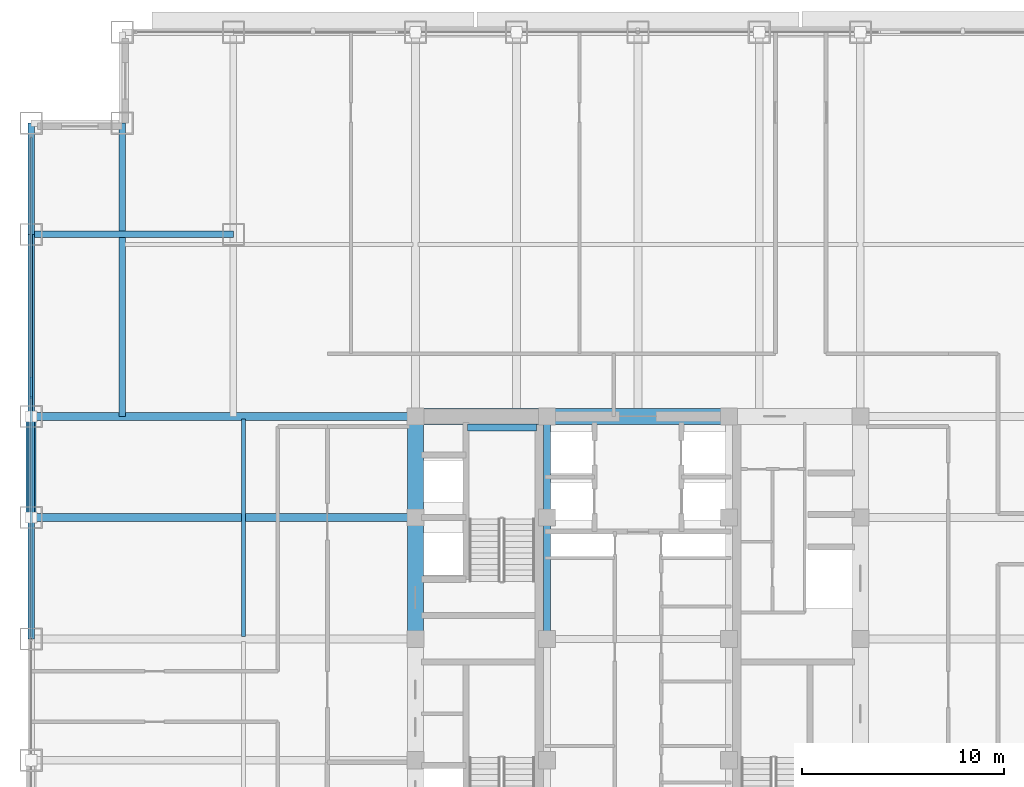
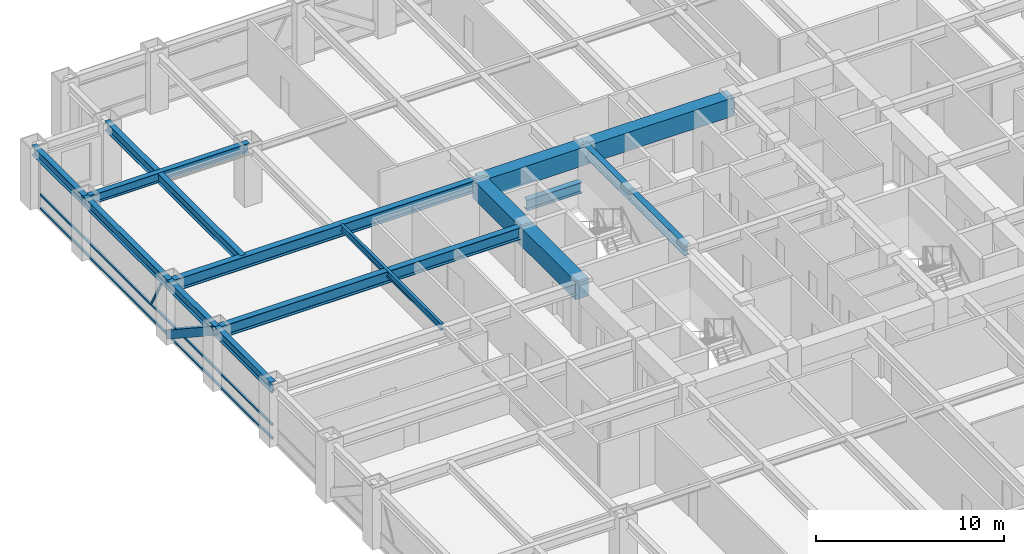
# One storey, part 11 of 28: 16 beams, 5 members, 1 element without a shape of its own.
"""IFC4 building model written with IfcOpenShell, lengths in metres."""

import ifcopenshell
import ifcopenshell.guid

model = None  # the IFC model being written
_history = None  # IfcOwnerHistory: only IFC2X3 demands one
_inside = {}  # id of a spatial element -> (the spatial element, [elements in it])
_under = {}  # id of a project, library or spatial element -> (it, [spatial elements below it])
_declared = {}  # id of a project -> (the project, [libraries it declares])
_typed = {}  # id of a type object -> (the type object, [elements of that type])
_made_of = {}  # id of a material, layer set ... -> (it, [elements and type objects made of it])


def new_model(schema):
    """Start an empty IFC model of exactly this schema.

    Asked for "IFC4X3", IfcOpenShell would pick the latest addendum, in which some entities
    have other attributes; the version numbers below select the first issue.
    IFC2X3 requires an IfcOwnerHistory on every rooted entity: one is made here for all.
    """
    global model, _history
    if schema == "IFC4X3":
        model = ifcopenshell.file(schema_version=(4, 3, 0, 0))
    else:
        model = ifcopenshell.file(schema=schema)
    _inside.clear()
    _under.clear()
    _declared.clear()
    _typed.clear()
    _made_of.clear()
    _history = None
    if model.schema == "IFC2X3":
        org = make("IfcOrganization", Name="unknown")
        user = make(
            "IfcPersonAndOrganization",
            ThePerson=make("IfcPerson", FamilyName="unknown"),
            TheOrganization=org,
        )
        app = make(
            "IfcApplication",
            ApplicationDeveloper=org,
            Version="unknown",
            ApplicationFullName="unknown",
            ApplicationIdentifier="unknown",
        )
        _history = make(
            "IfcOwnerHistory",
            OwningUser=user,
            OwningApplication=app,
            ChangeAction="ADDED",
            CreationDate=0,
        )
    return model


def make(cls, **values):
    """One entity of the class cls with the attributes given. An attribute that is None is left unset."""
    return model.create_entity(
        cls, **{name: value for name, value in values.items() if value is not None}
    )


def rooted(cls, **values):
    """An entity with a GlobalId (a new one), such as an element, a storey or a relation."""
    return make(cls, GlobalId=ifcopenshell.guid.new(), OwnerHistory=_history, **values)


def si_unit(unit_type, name, prefix=None):
    """IfcSIUnit, for example si_unit("LENGTHUNIT", "METRE", prefix="MILLI")."""
    return make("IfcSIUnit", UnitType=unit_type, Prefix=prefix, Name=name)


def assignment(units):
    """IfcUnitAssignment: the units of a project."""
    return None if units is None else make("IfcUnitAssignment", Units=units)


def point(xyz):
    """IfcCartesianPoint."""
    return None if xyz is None else make("IfcCartesianPoint", Coordinates=xyz)


def direction(xyz):
    """IfcDirection."""
    return None if xyz is None else make("IfcDirection", DirectionRatios=xyz)


def frame(location, z_axis=None, x_axis=None):
    """IfcAxis2Placement3D, a coordinate frame: its origin and axes. An axis left out is left unset."""
    return make(
        "IfcAxis2Placement3D",
        Location=point(location),
        Axis=direction(z_axis),
        RefDirection=direction(x_axis),
    )


def frame_2d(location, x_axis=None):
    """IfcAxis2Placement2D, a coordinate frame in the plane: its origin and x axis."""
    return make(
        "IfcAxis2Placement2D", Location=point(location), RefDirection=direction(x_axis)
    )


def origin():
    """The frame at (0, 0, 0) with its axes left unset."""
    return frame((0.0, 0.0, 0.0))


def origin_2d():
    """The frame at (0, 0) in the plane with its x axis left unset."""
    return frame_2d((0.0, 0.0))


def place(relative_to, where):
    """IfcLocalPlacement: puts the frame where relative to a parent placement (None: the world)."""
    return make(
        "IfcLocalPlacement", PlacementRelTo=relative_to, RelativePlacement=where
    )


def context(
    kind, dimensions, precision=None, world=None, true_north=None, identifier=None
):
    """IfcGeometricRepresentationContext, for example the 3D "Model" context."""
    return make(
        "IfcGeometricRepresentationContext",
        ContextIdentifier=identifier,
        ContextType=kind,
        CoordinateSpaceDimension=dimensions,
        Precision=precision,
        WorldCoordinateSystem=world,
        TrueNorth=true_north,
    )


def subcontext(parent, identifier, kind, view, scale=None):
    """IfcGeometricRepresentationSubContext, for example "Body" below "Model"."""
    return make(
        "IfcGeometricRepresentationSubContext",
        ContextIdentifier=identifier,
        ContextType=kind,
        ParentContext=parent,
        TargetScale=scale,
        TargetView=view,
    )


def project(units=None, contexts=None):
    """IfcProject with its units and contexts."""
    return rooted(
        "IfcProject",
        Name="project",
        RepresentationContexts=contexts,
        UnitsInContext=assignment(units),
    )


def spatial(cls, under=None, at=None, **own):
    """A site, building, storey or space (cls), placed at a placement, below another one or the project."""
    s = rooted(cls, ObjectPlacement=at, **own)
    if under is not None:
        _under.setdefault(under.id(), (under, []))[1].append(s)
    return s


def profile(cls, at=None, kind="AREA", **sizes):
    """A parametric profile (cls). Its sizes go by their IFC names, for example OverallWidth=200.0."""
    return make(cls, ProfileType=kind, Position=at, **sizes)


def rectangle(**sizes):
    """IfcRectangleProfileDef."""
    return profile("IfcRectangleProfileDef", **sizes)


def hollow_rectangle(**sizes):
    """IfcRectangleHollowProfileDef."""
    return profile("IfcRectangleHollowProfileDef", **sizes)


def i_section(**sizes):
    """IfcIShapeProfileDef."""
    return profile("IfcIShapeProfileDef", **sizes)


def extrude(swept, where, along, depth):
    """IfcExtrudedAreaSolid: the profile swept, set in the frame where, extruded along a direction by depth."""
    return make(
        "IfcExtrudedAreaSolid",
        SweptArea=swept,
        Position=where,
        ExtrudedDirection=direction(along),
        Depth=depth,
    )


def shape(context_of_items, identifier, shape_type, items):
    """IfcShapeRepresentation: the items that make up one representation, for example the "Body"."""
    return make(
        "IfcShapeRepresentation",
        ContextOfItems=context_of_items,
        RepresentationIdentifier=identifier,
        RepresentationType=shape_type,
        Items=items,
    )


def source(mapping_origin, context_of_items, identifier, shape_type, items):
    """IfcRepresentationMap: a shape defined once, which mapped items show again and again."""
    return make(
        "IfcRepresentationMap",
        MappingOrigin=mapping_origin,
        MappedRepresentation=shape(context_of_items, identifier, shape_type, items),
    )


def transform(
    local_origin,
    x_axis=None,
    y_axis=None,
    z_axis=None,
    scale=None,
    scale2=None,
    scale3=None,
    uniform=True,
):
    """IfcCartesianTransformationOperator3D, or its non-uniform kind. x_axis, y_axis, z_axis: its Axis1, 2, 3."""
    if uniform:
        return make(
            "IfcCartesianTransformationOperator3D",
            Axis1=direction(x_axis),
            Axis2=direction(y_axis),
            LocalOrigin=point(local_origin),
            Scale=scale,
            Axis3=direction(z_axis),
        )
    return make(
        "IfcCartesianTransformationOperator3DnonUniform",
        Axis1=direction(x_axis),
        Axis2=direction(y_axis),
        LocalOrigin=point(local_origin),
        Scale=scale,
        Axis3=direction(z_axis),
        Scale2=scale2,
        Scale3=scale3,
    )


def mapped(mapping_source, mapping_target):
    """IfcMappedItem: shows the shape of a source again, moved by a transform."""
    return make(
        "IfcMappedItem", MappingSource=mapping_source, MappingTarget=mapping_target
    )


def material(Name=None, Category=None):
    """IfcMaterial."""
    return make("IfcMaterial", Name=Name, Category=Category)


def material_profile(
    of_material, cross_section, Name=None, Category=None, Priority=None
):
    """IfcMaterialProfile: a cross section and its material."""
    return make(
        "IfcMaterialProfile",
        Name=Name,
        Material=of_material,
        Profile=cross_section,
        Priority=Priority,
        Category=Category,
    )


def profile_set(profiles, Name=None, composite=None):
    """IfcMaterialProfileSet."""
    return make(
        "IfcMaterialProfileSet",
        Name=Name,
        MaterialProfiles=profiles,
        CompositeProfile=composite,
    )


def made_of(thing, what):
    """Note that an element or type object is made of a material, layer set ...; save() writes the relation."""
    if what is not None:
        _made_of.setdefault(what.id(), (what, []))[1].append(thing)
    return thing


def type_object(cls, material=None, **own):
    """A type object (cls), such as IfcWallType, which elements share."""
    return made_of(rooted(cls, **own), material)


def element(
    cls,
    number,
    at=None,
    inside=None,
    cuts=None,
    type_object=None,
    material=None,
    context=None,
    identifier="Body",
    shape_type=None,
    held_by="IfcProductDefinitionShape",
    body=None,
    shapes=None,
    **own,
):
    """One element of the class cls, such as IfcWall. Its Tag is "e" and its number.

    at: its placement. inside: the storey or other place that contains it. cuts: it is an
    opening in that element (IfcRelVoidsElement). A single representation is given by context,
    identifier, shape_type and body (its items); several are given by shapes. held_by: the class
    of the entity that holds the representations. save() writes the other relations.
    """
    e = rooted(cls, Tag="e%d" % number, ObjectPlacement=at, **own)
    if body is not None:
        shapes = [shape(context, identifier, shape_type, body)]
    if shapes is not None:
        e.Representation = make(held_by, Representations=shapes)
    if inside is not None:
        _inside.setdefault(inside.id(), (inside, []))[1].append(e)
    if cuts is not None:
        rooted(
            "IfcRelVoidsElement", RelatingBuildingElement=cuts, RelatedOpeningElement=e
        )
    if type_object is not None:
        _typed.setdefault(type_object.id(), (type_object, []))[1].append(e)
    return made_of(e, material)


def aggregate(whole, parts):
    """IfcRelAggregates: a whole, such as a stair, and the parts it consists of."""
    return rooted("IfcRelAggregates", RelatingObject=whole, RelatedObjects=parts)


def save(model, path):
    """Write the relations noted so far, then the file.

    IfcRelAggregates (storeys below a building ...), IfcRelContainedInSpatialStructure (elements
    in a storey), IfcRelDefinesByType, IfcRelAssociatesMaterial and IfcRelDeclares: one each for
    every whole, place, type object, material and project.
    """
    for whole, parts in _under.values():
        aggregate(whole, parts)
    for where, things in _inside.values():
        rooted(
            "IfcRelContainedInSpatialStructure",
            RelatedElements=things,
            RelatingStructure=where,
        )
    for kind, things in _typed.values():
        rooted("IfcRelDefinesByType", RelatedObjects=things, RelatingType=kind)
    for what, things in _made_of.values():
        rooted("IfcRelAssociatesMaterial", RelatedObjects=things, RelatingMaterial=what)
    for by, libraries in _declared.values():
        rooted("IfcRelDeclares", RelatingContext=by, RelatedDefinitions=libraries)
    model.write(path)


model = new_model("IFC4")

# Units and contexts
model_context = context("Model", 3, precision=1e-05, world=origin(), true_north=direction((0.0, 1.0)))
body_context = subcontext(model_context, "Body", "Model", "MODEL_VIEW")
ifc_project = project(units=[si_unit("LENGTHUNIT", "METRE"), si_unit("AREAUNIT", "SQUARE_METRE"), si_unit("VOLUMEUNIT", "CUBIC_METRE"), si_unit("PLANEANGLEUNIT", "RADIAN"), si_unit("MASSUNIT", "GRAM", prefix="KILO")], contexts=[model_context])

# Site, building, storey
site_placement = place(None, origin())
site = spatial("IfcSite", under=ifc_project, at=site_placement, CompositionType="ELEMENT")
building_placement = place(site_placement, origin())
building = spatial("IfcBuilding", under=site, at=building_placement, Name="Khorayat Bourse Tower", CompositionType="ELEMENT")
storey_placement = place(building_placement, frame((0.0, 0.0, 191.10009765625)))
storey = spatial("IfcBuildingStorey", under=building, at=storey_placement, Name="L44", CompositionType="ELEMENT", Elevation=191.10009765625)

# Beams
ifc_material_1 = material(Name="Concrete C72/90", Category="concrete")
ifc_material_profile_1 = material_profile(ifc_material_1, rectangle(XDim=0.800048828125, YDim=1.199951171875, at=origin_2d()), Name="RC 800x1200")
ifc_profile_set_1 = profile_set([ifc_material_profile_1], Name="Concrete C72/90")
beam_type_1 = type_object("IfcBeamType", Name="BM-COUP-1200", PredefinedType="BEAM", material=ifc_profile_set_1)
shared_shape_1 = source(origin(), body_context, "Body", "SweptSolid", [
    extrude(rectangle(XDim=0.800048828125, YDim=1.199951171875, at=origin_2d()), origin(), (0.0, 0.0, 1.0), 5.0),
])
beam_1_placement = place(storey_placement, frame((-11.0, 6.0, 3.179931640625), z_axis=(0.0, 1.0, 0.0), x_axis=(-1.0, 0.0, 0.0)))
element("IfcBeam", 1, at=beam_1_placement, inside=storey, type_object=beam_type_1, Name="L44 BM-COUP-1200 BM-L44-CRX-04", PredefinedType="BEAM", context=body_context, shape_type="MappedRepresentation", body=[
    mapped(shared_shape_1, transform((0.0, 0.0, 0.0), scale=1.0)),
])
shared_shape_2 = source(origin(), body_context, "Body", "SweptSolid", [
    extrude(rectangle(XDim=0.800048828125, YDim=1.199951171875, at=origin_2d()), origin(), (0.0, 0.0, 1.0), 6.0),
])
beam_2_placement = place(storey_placement, frame((-11.0, 0.0, 3.179931640625), z_axis=(0.0, 1.0, 0.0), x_axis=(-1.0, 0.0, 0.0)))
element("IfcBeam", 2, at=beam_2_placement, inside=storey, type_object=beam_type_1, Name="L44 BM-COUP-1200 BM-L44-CRX-03", PredefinedType="BEAM", context=body_context, shape_type="MappedRepresentation", body=[
    mapped(shared_shape_2, transform((0.0, 0.0, 0.0), scale=1.0)),
])
ifc_material_2 = material(Name="Steel ASTM A992 Grade 50", Category="steel")
ifc_material_profile_2 = material_profile(ifc_material_2, i_section(OverallWidth=0.35498046875, OverallDepth=0.695068359375, WebThickness=0.015380859375, FlangeThickness=0.02490234375, FilletRadius=0.01806640625, at=origin_2d()), Name="W690X217")
ifc_profile_set_2 = profile_set([ifc_material_profile_2], Name="Steel ASTM A992 Grade 50")
beam_type_2 = type_object("IfcBeamType", Name="BM-GIRD-690", PredefinedType="BEAM", material=ifc_profile_set_2)
shared_shape_3 = source(origin(), body_context, "Body", "SweptSolid", [
    extrude(i_section(OverallWidth=0.35498046875, OverallDepth=0.695068359375, WebThickness=0.015380859375, FlangeThickness=0.02490234375, FilletRadius=0.01806640625, at=origin_2d()), origin(), (0.0, 0.0, 1.0), 5.0),
])
beam_3_placement = place(storey_placement, frame((-4.5, 6.0, 3.432373046875), z_axis=(0.0, 1.0, 0.0), x_axis=(-1.0, 0.0, 0.0)))
element("IfcBeam", 3, at=beam_3_placement, inside=storey, type_object=beam_type_2, Name="L44 BM-GIRD-690 BM-L44-CRX-08", PredefinedType="BEAM", context=body_context, shape_type="MappedRepresentation", body=[
    mapped(shared_shape_3, transform((0.0, 0.0, 0.0), scale=1.0)),
])
shared_shape_4 = source(origin(), body_context, "Body", "SweptSolid", [
    extrude(i_section(OverallWidth=0.35498046875, OverallDepth=0.695068359375, WebThickness=0.015380859375, FlangeThickness=0.02490234375, FilletRadius=0.01806640625, at=origin_2d()), origin(), (0.0, 0.0, 1.0), 6.0),
])
beam_4_placement = place(storey_placement, frame((-4.5, 0.0, 3.432373046875), z_axis=(0.0, 1.0, 0.0), x_axis=(-1.0, 0.0, 0.0)))
element("IfcBeam", 4, at=beam_4_placement, inside=storey, type_object=beam_type_2, Name="L44 BM-GIRD-690 BM-L44-CRX-07", PredefinedType="BEAM", context=body_context, shape_type="MappedRepresentation", body=[
    mapped(shared_shape_4, transform((0.0, 0.0, 0.0), scale=1.0)),
])
shared_shape_5 = source(origin(), body_context, "Body", "SweptSolid", [
    extrude(rectangle(XDim=0.800048828125, YDim=1.199951171875, at=origin_2d()), origin(), (0.0, 0.0, 1.0), 6.5),
])
beam_5_placement = place(storey_placement, frame((-11.0, 11.0, 3.179931640625), z_axis=(1.0, 0.0, 0.0), x_axis=(0.0, 1.0, 0.0)))
element("IfcBeam", 5, at=beam_5_placement, inside=storey, type_object=beam_type_1, Name="L44 BM-COUP-1200 BM-L44-CRY-20", PredefinedType="BEAM", context=body_context, shape_type="MappedRepresentation", body=[
    mapped(shared_shape_5, transform((0.0, 0.0, 0.0), scale=1.0)),
])
shared_shape_6 = source(origin(), body_context, "Body", "SweptSolid", [
    extrude(rectangle(XDim=0.800048828125, YDim=1.199951171875, at=origin_2d()), origin(), (0.0, 0.0, 1.0), 9.0),
])
beam_6_placement = place(storey_placement, frame((-4.5, 11.0, 3.179931640625), z_axis=(1.0, 0.0, 0.0), x_axis=(0.0, 1.0, 0.0)))
element("IfcBeam", 6, at=beam_6_placement, inside=storey, type_object=beam_type_1, Name="L44 BM-COUP-1200 BM-L44-CRY-21", PredefinedType="BEAM", context=body_context, shape_type="MappedRepresentation", body=[
    mapped(shared_shape_6, transform((0.0, 0.0, 0.0), scale=1.0)),
])
shared_shape_7 = source(origin(), body_context, "Body", "SweptSolid", [
    extrude(i_section(OverallWidth=0.35498046875, OverallDepth=0.695068359375, WebThickness=0.015380859375, FlangeThickness=0.02490234375, FilletRadius=0.01806640625, at=origin_2d()), origin(), (0.0, 0.0, 1.0), 3.39990234375),
])
beam_7_placement = place(storey_placement, frame((-8.419921875, 10.449951171875, 1.452392578125), z_axis=(1.0, 0.0, 0.0), x_axis=(0.0, 1.0, 0.0)))
element("IfcBeam", 7, at=beam_7_placement, inside=storey, type_object=beam_type_2, Name="L44 BM-GIRD-690 BM-L44-ST2L", PredefinedType="BEAM", context=body_context, shape_type="MappedRepresentation", body=[
    mapped(shared_shape_7, transform((0.0, 0.0, 0.0), scale=1.0)),
])
ifc_material_profile_3 = material_profile(ifc_material_2, i_section(OverallWidth=0.381103515625, OverallDepth=0.77294921875, WebThickness=0.0166015625, FlangeThickness=0.027587890625, FilletRadius=0.01806640625, at=origin_2d()), Name="W760X257")
ifc_profile_set_3 = profile_set([ifc_material_profile_3], Name="Steel ASTM A992 Grade 50")
beam_type_3 = type_object("IfcBeamType", Name="BM-GIRD-760", PredefinedType="BEAM", material=ifc_profile_set_3)
shared_shape_8 = source(origin(), body_context, "Body", "SweptSolid", [
    extrude(i_section(OverallWidth=0.381103515625, OverallDepth=0.77294921875, WebThickness=0.0166015625, FlangeThickness=0.027587890625, FilletRadius=0.01806640625, at=origin_2d()), origin(), (0.0, 0.0, 1.0), 19.0),
])
for number, where, z_axis, x_axis, name in (
    (8, (-30.0, 6.0, 3.393310546875), (1.0, 0.0, 0.0), (0.0, 1.0, 0.0), "L44 BM-GIRD-760 BM-L44-RADX-081"),
    (9, (-30.0, 11.0, 3.393310546875), (1.0, 0.0, 0.0), (0.0, 1.0, 0.0), "L44 BM-GIRD-760 BM-L44-RADX-083"),
):
    element("IfcBeam", number, at=place(storey_placement, frame(where, z_axis=z_axis, x_axis=x_axis)), inside=storey, type_object=beam_type_3, Name=name, PredefinedType="BEAM", context=body_context, shape_type="MappedRepresentation", body=[
        mapped(shared_shape_8, transform((0.0, 0.0, 0.0), scale=1.0)),
    ])
ifc_material_profile_4 = material_profile(ifc_material_2, i_section(OverallWidth=0.324951171875, OverallDepth=0.615966796875, WebThickness=0.013916015625, FlangeThickness=0.021484375, FilletRadius=0.01611328125, at=origin_2d()), Name="W610X174")
ifc_profile_set_4 = profile_set([ifc_material_profile_4], Name="Steel ASTM A992 Grade 50")
beam_type_4 = type_object("IfcBeamType", Name="BM-GIRD-610", PredefinedType="BEAM", material=ifc_profile_set_4)
shared_shape_9 = source(origin(), body_context, "Body", "SweptSolid", [
    extrude(i_section(OverallWidth=0.324951171875, OverallDepth=0.615966796875, WebThickness=0.013916015625, FlangeThickness=0.021484375, FilletRadius=0.01611328125, at=origin_2d()), origin(), (0.0, 0.0, 1.0), 14.5),
])
beam_8_placement = place(storey_placement, frame((-25.5, 11.0, 3.471923828125), z_axis=(0.0, 1.0, 0.0), x_axis=(-1.0, 0.0, 0.0)))
element("IfcBeam", 10, at=beam_8_placement, inside=storey, type_object=beam_type_4, Name="L44 BM-GIRD-610 BM-L44-CNRY-089", PredefinedType="BEAM", context=body_context, shape_type="MappedRepresentation", body=[
    mapped(shared_shape_9, transform((0.0, 0.0, 0.0), scale=1.0)),
])
shared_shape_10 = source(origin(), body_context, "Body", "SweptSolid", [
    extrude(i_section(OverallWidth=0.324951171875, OverallDepth=0.615966796875, WebThickness=0.013916015625, FlangeThickness=0.021484375, FilletRadius=0.01611328125, at=origin_2d()), origin(), (0.0, 0.0, 1.0), 10.0),
])
beam_9_placement = place(storey_placement, frame((-30.0, 20.0, 3.471923828125), z_axis=(1.0, 0.0, 0.0), x_axis=(0.0, 1.0, 0.0)))
element("IfcBeam", 11, at=beam_9_placement, inside=storey, type_object=beam_type_4, Name="L44 BM-GIRD-610 BM-L44-CNRX-095", PredefinedType="BEAM", context=body_context, shape_type="MappedRepresentation", body=[
    mapped(shared_shape_10, transform((0.0, 0.0, 0.0), scale=1.0)),
])
ifc_material_profile_5 = material_profile(ifc_material_2, i_section(OverallWidth=0.180908203125, OverallDepth=0.4169921875, WebThickness=0.010986328125, FlangeThickness=0.018310546875, FilletRadius=0.011962890625, at=origin_2d()), Name="W410X85")
ifc_profile_set_5 = profile_set([ifc_material_profile_5], Name="Steel ASTM A992 Grade 50")
beam_type_5 = type_object("IfcBeamType", Name="BM-JOIST-410", PredefinedType="JOIST", material=ifc_profile_set_5)
shared_shape_11 = source(origin(), body_context, "Body", "SweptSolid", [
    extrude(i_section(OverallWidth=0.180908203125, OverallDepth=0.4169921875, WebThickness=0.010986328125, FlangeThickness=0.018310546875, FilletRadius=0.011962890625, at=origin_2d()), origin(), (0.0, 0.0, 1.0), 10.740234375),
])
beam_10_placement = place(storey_placement, frame((-19.5, 0.1298828125, 3.5712890625), z_axis=(0.0, 1.0, 0.0), x_axis=(-1.0, 0.0, 0.0)))
element("IfcBeam", 12, at=beam_10_placement, inside=storey, type_object=beam_type_5, Name="L44 BM-JOIST-410 BM-L44-JSTY-103", PredefinedType="JOIST", context=body_context, shape_type="MappedRepresentation", body=[
    mapped(shared_shape_11, transform((0.0, 0.0, 0.0), scale=1.0)),
])
ifc_material_profile_6 = material_profile(ifc_material_2, i_section(OverallWidth=0.324951171875, OverallDepth=0.615966796875, WebThickness=0.013916015625, FlangeThickness=0.021484375, FilletRadius=0.01611328125, at=origin_2d()), Name="W610X174")
ifc_profile_set_6 = profile_set([ifc_material_profile_6], Name="Steel ASTM A992 Grade 50")
beam_type_6 = type_object("IfcBeamType", Name="BM-SPAN-610", PredefinedType="SPANDREL", material=ifc_profile_set_6)
shared_shape_12 = source(origin(), body_context, "Body", "SweptSolid", [
    extrude(i_section(OverallWidth=0.324951171875, OverallDepth=0.615966796875, WebThickness=0.013916015625, FlangeThickness=0.021484375, FilletRadius=0.01611328125, at=origin_2d()), origin(), (0.0, 0.0, 1.0), 5.5),
])
beam_11_placement = place(storey_placement, frame((-30.0, 20.0, 3.471923828125), z_axis=(0.0, 1.0, 0.0), x_axis=(-1.0, 0.0, 0.0)))
element("IfcBeam", 13, at=beam_11_placement, inside=storey, type_object=beam_type_6, Name="L44 BM-SPAN-610 BM-L44-SPN-054", PredefinedType="SPANDREL", context=body_context, shape_type="MappedRepresentation", body=[
    mapped(shared_shape_12, transform((0.0, 0.0, 0.0), scale=1.0)),
])
shared_shape_13 = source(origin(), body_context, "Body", "SweptSolid", [
    extrude(i_section(OverallWidth=0.324951171875, OverallDepth=0.615966796875, WebThickness=0.013916015625, FlangeThickness=0.021484375, FilletRadius=0.01611328125, at=origin_2d()), origin(), (0.0, 0.0, 1.0), 9.0),
])
beam_12_placement = place(storey_placement, frame((-30.0, 11.0, 3.471923828125), z_axis=(0.0, 1.0, 0.0), x_axis=(-1.0, 0.0, 0.0)))
element("IfcBeam", 14, at=beam_12_placement, inside=storey, type_object=beam_type_6, Name="L44 BM-SPAN-610 BM-L44-SPN-055", PredefinedType="SPANDREL", context=body_context, shape_type="MappedRepresentation", body=[
    mapped(shared_shape_13, transform((0.0, 0.0, 0.0), scale=1.0)),
])
shared_shape_14 = source(origin(), body_context, "Body", "SweptSolid", [
    extrude(i_section(OverallWidth=0.324951171875, OverallDepth=0.615966796875, WebThickness=0.013916015625, FlangeThickness=0.021484375, FilletRadius=0.01611328125, at=origin_2d()), origin(), (0.0, 0.0, 1.0), 5.0),
])
beam_13_placement = place(storey_placement, frame((-30.0, 6.0, 3.471923828125), z_axis=(0.0, 1.0, 0.0), x_axis=(-1.0, 0.0, 0.0)))
element("IfcBeam", 15, at=beam_13_placement, inside=storey, type_object=beam_type_6, Name="L44 BM-SPAN-610 BM-L44-SPN-056", PredefinedType="SPANDREL", context=body_context, shape_type="MappedRepresentation", body=[
    mapped(shared_shape_14, transform((0.0, 0.0, 0.0), scale=1.0)),
])
shared_shape_15 = source(origin(), body_context, "Body", "SweptSolid", [
    extrude(i_section(OverallWidth=0.324951171875, OverallDepth=0.615966796875, WebThickness=0.013916015625, FlangeThickness=0.021484375, FilletRadius=0.01611328125, at=origin_2d()), origin(), (0.0, 0.0, 1.0), 6.0),
])
beam_14_placement = place(storey_placement, frame((-30.0, 0.0, 3.471923828125), z_axis=(0.0, 1.0, 0.0), x_axis=(-1.0, 0.0, 0.0)))
element("IfcBeam", 16, at=beam_14_placement, inside=storey, type_object=beam_type_6, Name="L44 BM-SPAN-610 BM-L44-SPN-057", PredefinedType="SPANDREL", context=body_context, shape_type="MappedRepresentation", body=[
    mapped(shared_shape_15, transform((0.0, 0.0, 0.0), scale=1.0)),
])

# Member
ifc_material_3 = material(Name="Steel EN 10025-4 S460M", Category="steel")
ifc_material_profile_7 = material_profile(ifc_material_3, hollow_rectangle(XDim=0.5, YDim=0.5, WallThickness=0.028076171875, at=origin_2d()), Name="HSS 500x500x28")
ifc_profile_set_7 = profile_set([ifc_material_profile_7], Name="Steel EN 10025-4 S460M")
member_type_1 = type_object("IfcMemberType", Name="MBR-TUBE-500", PredefinedType="BRACE", material=ifc_profile_set_7)
shared_shape_16 = source(origin(), body_context, "Body", "SweptSolid", [
    extrude(hollow_rectangle(XDim=0.5, YDim=0.5, WallThickness=0.028076171875, at=origin_2d()), origin(), (0.0, 0.0, 1.0), 5.979736328125),
])
member_1_placement = place(storey_placement, frame((-30.0, 6.0, 3.52978515625), z_axis=(0.0, 0.836160261256, -0.548485202623), x_axis=(-1.0, 0.0, 0.0)))
element("IfcMember", 17, at=member_1_placement, inside=storey, type_object=member_type_1, Name="L44 Perimeter Tube Brace 06", PredefinedType="BRACE", context=body_context, shape_type="MappedRepresentation", body=[
    mapped(shared_shape_16, transform((0.0, 0.0, 0.0), scale=1.0)),
])

# Curtain wall, members
ifc_material_4 = material(Name="Aluminium EN AW-6063 T6", Category="aluminium")
curtain_wall_type = type_object("IfcCurtainWallType", Name="CW-SYS-03", PredefinedType="NOTDEFINED", material=ifc_material_4)
curtain_wall_placement = place(storey_placement, origin())
curtain_wall = element("IfcCurtainWall", 18, at=curtain_wall_placement, inside=storey, type_object=curtain_wall_type, Name="L44 Curtain Wall CW-L44-W1", PredefinedType="NOTDEFINED")
ifc_material_profile_8 = material_profile(ifc_material_4, hollow_rectangle(XDim=0.1201171875, YDim=0.1201171875, WallThickness=0.0048828125, at=origin_2d()), Name="ALU 120x120x5")
ifc_profile_set_8 = profile_set([ifc_material_profile_8], Name="Aluminium EN AW-6063 T6")
member_type_2 = type_object("IfcMemberType", Name="CWM-DIAG-120", PredefinedType="MULLION", material=ifc_profile_set_8)
shared_shape_17 = source(origin(), body_context, "Body", "SweptSolid", [
    extrude(hollow_rectangle(XDim=0.1201171875, YDim=0.1201171875, WallThickness=0.0048828125, at=origin_2d()), origin(), (0.0, 0.0, 1.0), 2.079345703125),
])
member_2_placement = place(storey_placement, frame((-30.0, 12.904296875, 1.08984375), z_axis=(0.0, -0.465760949701, 0.884910581773), x_axis=(1.0, 0.0, 0.0)))
member_2 = element("IfcMember", 19, at=member_2_placement, type_object=member_type_2, Name="CW-L44-W1 Faceted Diagonal Mullion 2", PredefinedType="MULLION", context=body_context, shape_type="MappedRepresentation", body=[
    mapped(shared_shape_17, transform((0.0, 0.0, 0.0), scale=1.0)),
])
ifc_material_profile_9 = material_profile(ifc_material_4, hollow_rectangle(XDim=0.1201171875, YDim=0.1201171875, WallThickness=0.0048828125, at=origin_2d()), Name="ALU 120x120x5")
ifc_profile_set_9 = profile_set([ifc_material_profile_9], Name="Aluminium EN AW-6063 T6")
member_type_3 = type_object("IfcMemberType", Name="CWT-HORZ-120", PredefinedType="USERDEFINED", material=ifc_profile_set_9)
shared_shape_18 = source(origin(), body_context, "Body", "SweptSolid", [
    extrude(hollow_rectangle(XDim=0.1201171875, YDim=0.1201171875, WallThickness=0.0048828125, at=origin_2d()), origin(), (0.0, 0.0, 1.0), 24.719970703125),
])
member_3_placement = place(storey_placement, frame((-30.0, 0.06005859375, 0.059814453125), z_axis=(0.0, 1.0, 0.0), x_axis=(-1.0, 0.0, 0.0)))
member_3 = element("IfcMember", 20, at=member_3_placement, type_object=member_type_3, Name="CW-L44-W1 Horizontal Transom 2-1", ObjectType="TRANSOM", PredefinedType="USERDEFINED", context=body_context, shape_type="MappedRepresentation", body=[
    mapped(shared_shape_18, transform((0.0, 0.0, 0.0), scale=1.0)),
])
member_4_placement = place(storey_placement, frame((-30.0, 0.06005859375, 0.949951171875), z_axis=(0.0, 1.0, 0.0), x_axis=(-1.0, 0.0, 0.0)))
member_4 = element("IfcMember", 21, at=member_4_placement, type_object=member_type_3, Name="CW-L44-W1 Horizontal Transom 2-2", ObjectType="TRANSOM", PredefinedType="USERDEFINED", context=body_context, shape_type="MappedRepresentation", body=[
    mapped(shared_shape_18, transform((0.0, 0.0, 0.0), scale=1.0)),
])
member_5_placement = place(storey_placement, frame((-30.0, 0.06005859375, 3.06982421875), z_axis=(0.0, 1.0, 0.0), x_axis=(-1.0, 0.0, 0.0)))
member_5 = element("IfcMember", 22, at=member_5_placement, type_object=member_type_3, Name="CW-L44-W1 Horizontal Transom 2-3", ObjectType="TRANSOM", PredefinedType="USERDEFINED", context=body_context, shape_type="MappedRepresentation", body=[
    mapped(shared_shape_18, transform((0.0, 0.0, 0.0), scale=1.0)),
])
aggregate(curtain_wall, [member_3, member_4, member_5, member_2])

save(model, "model.ifc")
